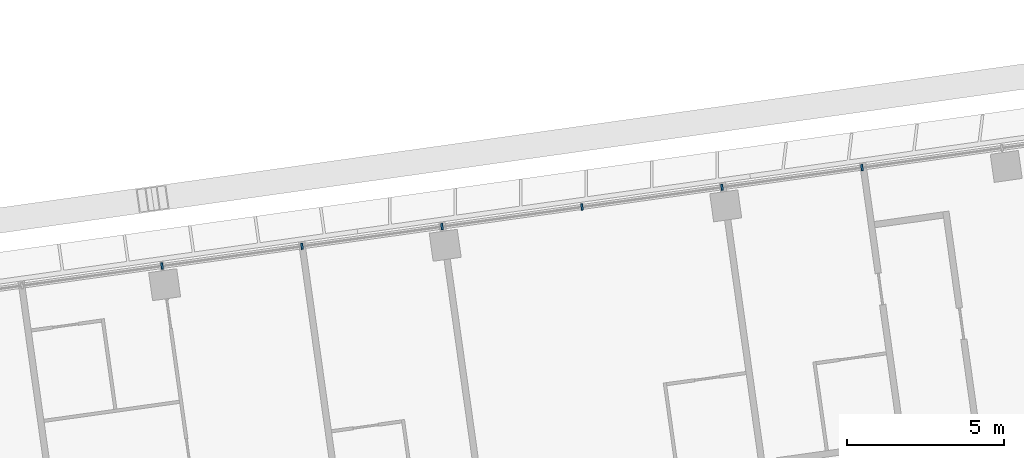
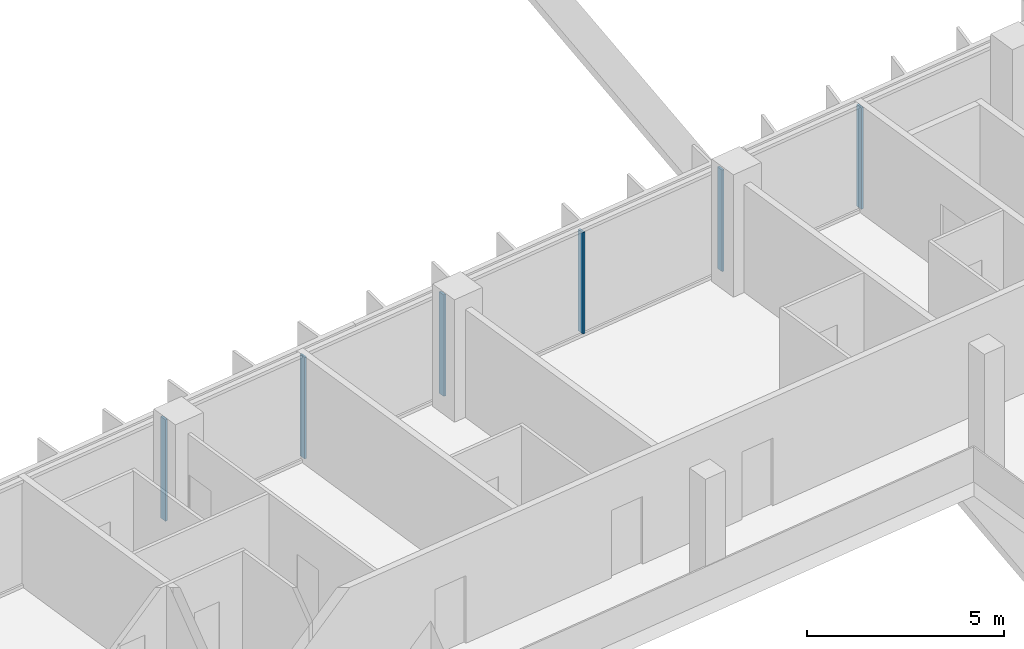
# One storey, part 25 of 41: 6 members, 1 element without a shape of its own.
"""IFC4 building model written with IfcOpenShell, lengths in metres."""

from ifc_helpers import new_model, si_unit, direction, frame, origin, origin_2d, place, context, subcontext, project, spatial, rectangle, extrude, material, material_profile, profile_set, type_object, element, aggregate, save


model = new_model("IFC4")

# Units and contexts
model_context = context("Model", 3, precision=1e-05, world=origin(), true_north=direction((0.0, 1.0)))
body_context = subcontext(model_context, "Body", "Model", "MODEL_VIEW")
ifc_project = project(units=[si_unit("LENGTHUNIT", "METRE"), si_unit("AREAUNIT", "SQUARE_METRE"), si_unit("VOLUMEUNIT", "CUBIC_METRE"), si_unit("PLANEANGLEUNIT", "RADIAN"), si_unit("MASSUNIT", "GRAM", prefix="KILO")], contexts=[model_context])

# Site, building, storey
site_placement = place(None, origin())
site = spatial("IfcSite", under=ifc_project, at=site_placement, CompositionType="ELEMENT")
building_placement = place(site_placement, origin())
building = spatial("IfcBuilding", under=site, at=building_placement, Name="Mirante Cascada Hotel Towers", CompositionType="ELEMENT")
storey_placement = place(building_placement, frame((0.0, 0.0, 125.3)))
storey = spatial("IfcBuildingStorey", under=building, at=storey_placement, Name="L28", CompositionType="ELEMENT", Elevation=125.3)

# Curtain wall, members
ifc_material_1 = material(Name="Aluminium mullion and transom frame with clear laminated glass", Category="aluminium")
curtain_wall_type = type_object("IfcCurtainWallType", Name="Ribbon curtain wall ECW1", PredefinedType="NOTDEFINED", material=ifc_material_1)
curtain_wall_placement = place(storey_placement, origin())
curtain_wall = element("IfcCurtainWall", 1, at=curtain_wall_placement, inside=storey, type_object=curtain_wall_type, Name="Front ribbon wall T2 L28", PredefinedType="NOTDEFINED")
ifc_material_2 = material(Name="Anodised aluminium extrusion", Category="aluminium")
ifc_material_profile = material_profile(ifc_material_2, rectangle(XDim=0.2, YDim=0.065, at=origin_2d()), Name="ECW1 MULLION 65x200")
ifc_profile_set = profile_set([ifc_material_profile], Name="Anodised aluminium extrusion")
member_type = type_object("IfcMemberType", Name="ECW1 mullion 65x200", PredefinedType="MULLION", material=ifc_profile_set)
member_1_placement = place(storey_placement, frame((85.2633, 24.802, 0.1), z_axis=(0.0, 0.0, 1.0), x_axis=(0.1391731, -0.9902681, 0.0)))
member_1 = element("IfcMember", 2, at=member_1_placement, type_object=member_type, Name="ECW1 mullion 3", PredefinedType="MULLION", context=body_context, shape_type="SweptSolid", body=[
    extrude(rectangle(XDim=0.2, YDim=0.065, at=origin_2d()), origin(), (0.0, 0.0, 1.0), 3.15),
])
member_2_placement = place(storey_placement, frame((80.8159, 24.177, 0.1), z_axis=(0.0, 0.0, 1.0), x_axis=(0.1391731, -0.9902681, 0.0)))
member_2 = element("IfcMember", 3, at=member_2_placement, type_object=member_type, Name="ECW1 mullion 4", PredefinedType="MULLION", context=body_context, shape_type="SweptSolid", body=[
    extrude(rectangle(XDim=0.2, YDim=0.065, at=origin_2d()), origin(), (0.0, 0.0, 1.0), 3.15),
])
member_3_placement = place(storey_placement, frame((76.3685, 23.5519, 0.1), z_axis=(0.0, 0.0, 1.0), x_axis=(0.1391731, -0.9902681, 0.0)))
member_3 = element("IfcMember", 4, at=member_3_placement, type_object=member_type, Name="ECW1 mullion 5", PredefinedType="MULLION", context=body_context, shape_type="SweptSolid", body=[
    extrude(rectangle(XDim=0.2, YDim=0.065, at=origin_2d()), origin(), (0.0, 0.0, 1.0), 3.15),
])
member_4_placement = place(storey_placement, frame((71.9211, 22.9269, 0.1), z_axis=(0.0, 0.0, 1.0), x_axis=(0.1391731, -0.9902681, 0.0)))
member_4 = element("IfcMember", 5, at=member_4_placement, type_object=member_type, Name="ECW1 mullion 6", PredefinedType="MULLION", context=body_context, shape_type="SweptSolid", body=[
    extrude(rectangle(XDim=0.2, YDim=0.065, at=origin_2d()), origin(), (0.0, 0.0, 1.0), 3.15),
])
member_5_placement = place(storey_placement, frame((67.4737, 22.3018, 0.1), z_axis=(0.0, 0.0, 1.0), x_axis=(0.1391731, -0.9902681, 0.0)))
member_5 = element("IfcMember", 6, at=member_5_placement, type_object=member_type, Name="ECW1 mullion 7", PredefinedType="MULLION", context=body_context, shape_type="SweptSolid", body=[
    extrude(rectangle(XDim=0.2, YDim=0.065, at=origin_2d()), origin(), (0.0, 0.0, 1.0), 3.15),
])
member_6_placement = place(storey_placement, frame((63.0262, 21.6768, 0.1), z_axis=(0.0, 0.0, 1.0), x_axis=(0.1391731, -0.9902681, 0.0)))
member_6 = element("IfcMember", 7, at=member_6_placement, type_object=member_type, Name="ECW1 mullion 8", PredefinedType="MULLION", context=body_context, shape_type="SweptSolid", body=[
    extrude(rectangle(XDim=0.2, YDim=0.065, at=origin_2d()), origin(), (0.0, 0.0, 1.0), 3.15),
])
aggregate(curtain_wall, [member_1, member_2, member_3, member_4, member_5, member_6])

save(model, "model.ifc")
